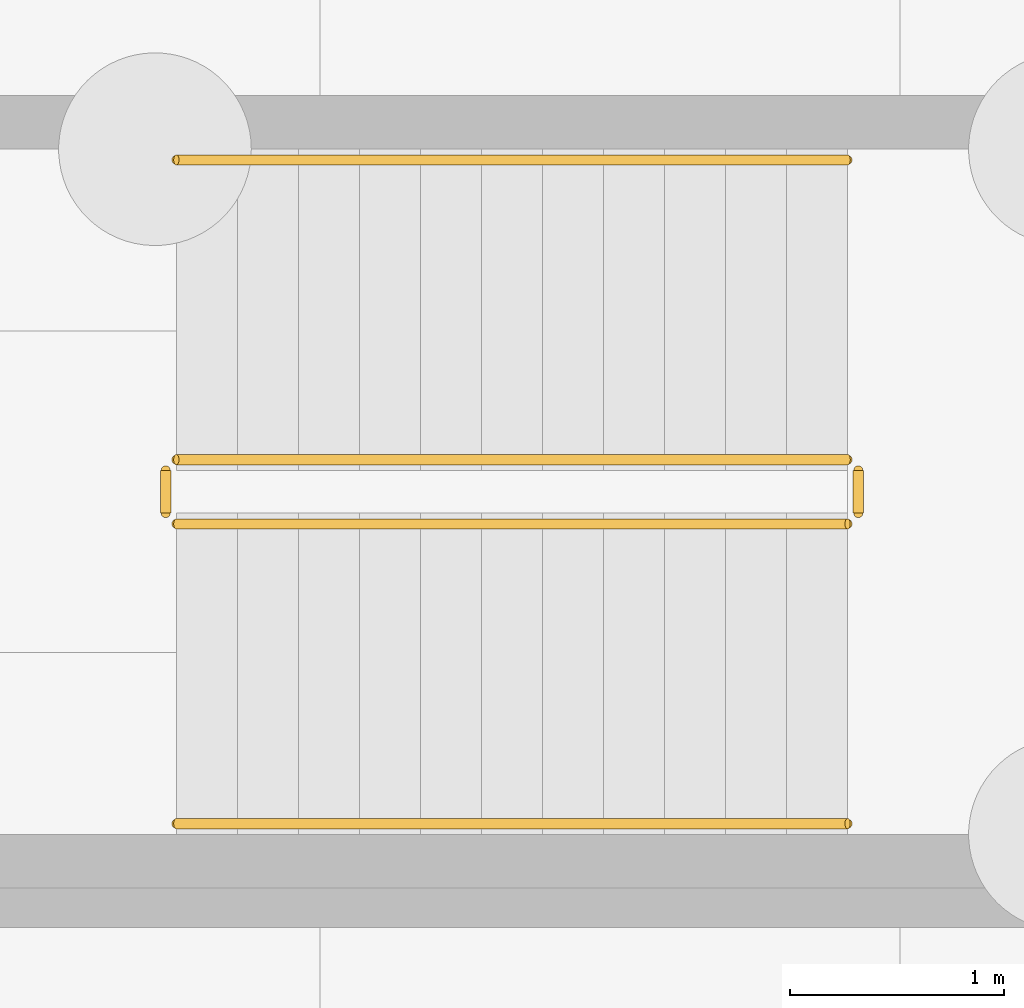
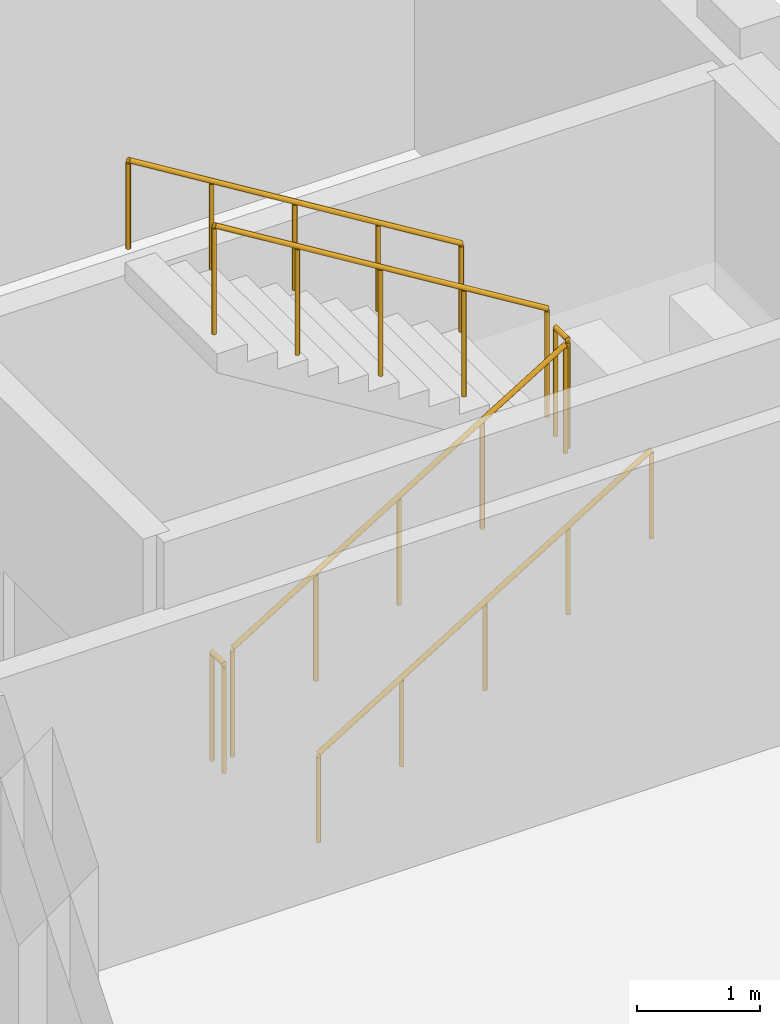
# One storey, part 16 of 18: 6 railings.
"""IFC4 building model written with IfcOpenShell, lengths in metres."""

import ifcopenshell
import ifcopenshell.guid

model = None  # the IFC model being written
_history = None  # IfcOwnerHistory: only IFC2X3 demands one
_inside = {}  # id of a spatial element -> (the spatial element, [elements in it])
_under = {}  # id of a project, library or spatial element -> (it, [spatial elements below it])
_declared = {}  # id of a project -> (the project, [libraries it declares])
_typed = {}  # id of a type object -> (the type object, [elements of that type])
_made_of = {}  # id of a material, layer set ... -> (it, [elements and type objects made of it])


def new_model(schema):
    """Start an empty IFC model of exactly this schema.

    Asked for "IFC4X3", IfcOpenShell would pick the latest addendum, in which some entities
    have other attributes; the version numbers below select the first issue.
    IFC2X3 requires an IfcOwnerHistory on every rooted entity: one is made here for all.
    """
    global model, _history
    if schema == "IFC4X3":
        model = ifcopenshell.file(schema_version=(4, 3, 0, 0))
    else:
        model = ifcopenshell.file(schema=schema)
    _inside.clear()
    _under.clear()
    _declared.clear()
    _typed.clear()
    _made_of.clear()
    _history = None
    if model.schema == "IFC2X3":
        org = make("IfcOrganization", Name="unknown")
        user = make(
            "IfcPersonAndOrganization",
            ThePerson=make("IfcPerson", FamilyName="unknown"),
            TheOrganization=org,
        )
        app = make(
            "IfcApplication",
            ApplicationDeveloper=org,
            Version="unknown",
            ApplicationFullName="unknown",
            ApplicationIdentifier="unknown",
        )
        _history = make(
            "IfcOwnerHistory",
            OwningUser=user,
            OwningApplication=app,
            ChangeAction="ADDED",
            CreationDate=0,
        )
    return model


def make(cls, **values):
    """One entity of the class cls with the attributes given. An attribute that is None is left unset."""
    return model.create_entity(
        cls, **{name: value for name, value in values.items() if value is not None}
    )


def rooted(cls, **values):
    """An entity with a GlobalId (a new one), such as an element, a storey or a relation."""
    return make(cls, GlobalId=ifcopenshell.guid.new(), OwnerHistory=_history, **values)


def si_unit(unit_type, name, prefix=None):
    """IfcSIUnit, for example si_unit("LENGTHUNIT", "METRE", prefix="MILLI")."""
    return make("IfcSIUnit", UnitType=unit_type, Prefix=prefix, Name=name)


def assignment(units):
    """IfcUnitAssignment: the units of a project."""
    return None if units is None else make("IfcUnitAssignment", Units=units)


def point(xyz):
    """IfcCartesianPoint."""
    return None if xyz is None else make("IfcCartesianPoint", Coordinates=xyz)


def direction(xyz):
    """IfcDirection."""
    return None if xyz is None else make("IfcDirection", DirectionRatios=xyz)


def frame(location, z_axis=None, x_axis=None):
    """IfcAxis2Placement3D, a coordinate frame: its origin and axes. An axis left out is left unset."""
    return make(
        "IfcAxis2Placement3D",
        Location=point(location),
        Axis=direction(z_axis),
        RefDirection=direction(x_axis),
    )


def frame_2d(location, x_axis=None):
    """IfcAxis2Placement2D, a coordinate frame in the plane: its origin and x axis."""
    return make(
        "IfcAxis2Placement2D", Location=point(location), RefDirection=direction(x_axis)
    )


def origin():
    """The frame at (0, 0, 0) with its axes left unset."""
    return frame((0.0, 0.0, 0.0))


def origin_2d():
    """The frame at (0, 0) in the plane with its x axis left unset."""
    return frame_2d((0.0, 0.0))


def place(relative_to, where):
    """IfcLocalPlacement: puts the frame where relative to a parent placement (None: the world)."""
    return make(
        "IfcLocalPlacement", PlacementRelTo=relative_to, RelativePlacement=where
    )


def context(
    kind, dimensions, precision=None, world=None, true_north=None, identifier=None
):
    """IfcGeometricRepresentationContext, for example the 3D "Model" context."""
    return make(
        "IfcGeometricRepresentationContext",
        ContextIdentifier=identifier,
        ContextType=kind,
        CoordinateSpaceDimension=dimensions,
        Precision=precision,
        WorldCoordinateSystem=world,
        TrueNorth=true_north,
    )


def subcontext(parent, identifier, kind, view, scale=None):
    """IfcGeometricRepresentationSubContext, for example "Body" below "Model"."""
    return make(
        "IfcGeometricRepresentationSubContext",
        ContextIdentifier=identifier,
        ContextType=kind,
        ParentContext=parent,
        TargetScale=scale,
        TargetView=view,
    )


def project(units=None, contexts=None):
    """IfcProject with its units and contexts."""
    return rooted(
        "IfcProject",
        Name="project",
        RepresentationContexts=contexts,
        UnitsInContext=assignment(units),
    )


def spatial(cls, under=None, at=None, **own):
    """A site, building, storey or space (cls), placed at a placement, below another one or the project."""
    s = rooted(cls, ObjectPlacement=at, **own)
    if under is not None:
        _under.setdefault(under.id(), (under, []))[1].append(s)
    return s


def profile(cls, at=None, kind="AREA", **sizes):
    """A parametric profile (cls). Its sizes go by their IFC names, for example OverallWidth=200.0."""
    return make(cls, ProfileType=kind, Position=at, **sizes)


def circle(**sizes):
    """IfcCircleProfileDef."""
    return profile("IfcCircleProfileDef", **sizes)


def extrude(swept, where, along, depth):
    """IfcExtrudedAreaSolid: the profile swept, set in the frame where, extruded along a direction by depth."""
    return make(
        "IfcExtrudedAreaSolid",
        SweptArea=swept,
        Position=where,
        ExtrudedDirection=direction(along),
        Depth=depth,
    )


def shape(context_of_items, identifier, shape_type, items):
    """IfcShapeRepresentation: the items that make up one representation, for example the "Body"."""
    return make(
        "IfcShapeRepresentation",
        ContextOfItems=context_of_items,
        RepresentationIdentifier=identifier,
        RepresentationType=shape_type,
        Items=items,
    )


def material(Name=None, Category=None):
    """IfcMaterial."""
    return make("IfcMaterial", Name=Name, Category=Category)


def layer(
    of_material, thickness, ventilated=None, Name=None, Category=None, Priority=None
):
    """IfcMaterialLayer: one layer of a wall or slab, of a material (None: an air gap)."""
    return make(
        "IfcMaterialLayer",
        Material=of_material,
        LayerThickness=thickness,
        IsVentilated=ventilated,
        Name=Name,
        Category=Category,
        Priority=Priority,
    )


def layer_set(layers, Name=None):
    """IfcMaterialLayerSet."""
    return make("IfcMaterialLayerSet", MaterialLayers=layers, LayerSetName=Name)


def made_of(thing, what):
    """Note that an element or type object is made of a material, layer set ...; save() writes the relation."""
    if what is not None:
        _made_of.setdefault(what.id(), (what, []))[1].append(thing)
    return thing


def type_object(cls, material=None, **own):
    """A type object (cls), such as IfcWallType, which elements share."""
    return made_of(rooted(cls, **own), material)


def element(
    cls,
    number,
    at=None,
    inside=None,
    cuts=None,
    type_object=None,
    material=None,
    context=None,
    identifier="Body",
    shape_type=None,
    held_by="IfcProductDefinitionShape",
    body=None,
    shapes=None,
    **own,
):
    """One element of the class cls, such as IfcWall. Its Tag is "e" and its number.

    at: its placement. inside: the storey or other place that contains it. cuts: it is an
    opening in that element (IfcRelVoidsElement). A single representation is given by context,
    identifier, shape_type and body (its items); several are given by shapes. held_by: the class
    of the entity that holds the representations. save() writes the other relations.
    """
    e = rooted(cls, Tag="e%d" % number, ObjectPlacement=at, **own)
    if body is not None:
        shapes = [shape(context, identifier, shape_type, body)]
    if shapes is not None:
        e.Representation = make(held_by, Representations=shapes)
    if inside is not None:
        _inside.setdefault(inside.id(), (inside, []))[1].append(e)
    if cuts is not None:
        rooted(
            "IfcRelVoidsElement", RelatingBuildingElement=cuts, RelatedOpeningElement=e
        )
    if type_object is not None:
        _typed.setdefault(type_object.id(), (type_object, []))[1].append(e)
    return made_of(e, material)


def aggregate(whole, parts):
    """IfcRelAggregates: a whole, such as a stair, and the parts it consists of."""
    return rooted("IfcRelAggregates", RelatingObject=whole, RelatedObjects=parts)


def save(model, path):
    """Write the relations noted so far, then the file.

    IfcRelAggregates (storeys below a building ...), IfcRelContainedInSpatialStructure (elements
    in a storey), IfcRelDefinesByType, IfcRelAssociatesMaterial and IfcRelDeclares: one each for
    every whole, place, type object, material and project.
    """
    for whole, parts in _under.values():
        aggregate(whole, parts)
    for where, things in _inside.values():
        rooted(
            "IfcRelContainedInSpatialStructure",
            RelatedElements=things,
            RelatingStructure=where,
        )
    for kind, things in _typed.values():
        rooted("IfcRelDefinesByType", RelatedObjects=things, RelatingType=kind)
    for what, things in _made_of.values():
        rooted("IfcRelAssociatesMaterial", RelatedObjects=things, RelatingMaterial=what)
    for by, libraries in _declared.values():
        rooted("IfcRelDeclares", RelatingContext=by, RelatedDefinitions=libraries)
    model.write(path)


model = new_model("IFC4")

# Units and contexts
model_context = context("Model", 3, precision=1e-05, world=origin(), true_north=direction((0.0, 1.0)))
body_context = subcontext(model_context, "Body", "Model", "MODEL_VIEW")
ifc_project = project(units=[si_unit("LENGTHUNIT", "METRE"), si_unit("AREAUNIT", "SQUARE_METRE"), si_unit("VOLUMEUNIT", "CUBIC_METRE"), si_unit("PLANEANGLEUNIT", "RADIAN"), si_unit("MASSUNIT", "GRAM", prefix="KILO")], contexts=[model_context])

# Site, building, storey
site_placement = place(None, origin())
site = spatial("IfcSite", under=ifc_project, at=site_placement, CompositionType="ELEMENT")
building_placement = place(site_placement, origin())
building = spatial("IfcBuilding", under=site, at=building_placement, Name="Vondelvale Polytechnic", CompositionType="ELEMENT")
storey_placement = place(building_placement, frame((0.0, 0.0, -4.199951171875)))
storey = spatial("IfcBuildingStorey", under=building, at=storey_placement, Name="B1", CompositionType="ELEMENT", Elevation=-4.199951171875)

# Railings
ifc_material = material(Name="Brushed architectural stainless and zinc-coated metal")
ifc_layer_1 = layer(ifc_material, 0.050048828125)
ifc_layer_set_1 = layer_set([ifc_layer_1], Name="RL-STAIR-GUARD")
railing_type_1 = type_object("IfcRailingType", Name="RL-STAIR-GUARD", PredefinedType="GUARDRAIL", material=ifc_layer_set_1)
railing_1_placement = place(storey_placement, frame((41.89990234375, 115.050048828125, 0.175048828125)))
element("IfcRailing", 1, at=railing_1_placement, inside=storey, type_object=railing_type_1, Name="B1 ST-02 stair guard 1", PredefinedType="GUARDRAIL", context=body_context, shape_type="SweptSolid", body=[
    extrude(circle(Radius=0.02392578125, at=origin_2d()), frame((0.0, 0.0, 1.076171875), z_axis=(0.852195625947, 0.0, 0.523223293744), x_axis=(0.0, 1.0, 0.0)), (0.0, 0.0, 1.0), 3.6787109375),
    extrude(circle(Radius=0.02099609375, at=origin_2d()), origin(), (0.0, 0.0, 1.0), 1.052001953125),
    extrude(circle(Radius=0.02099609375, at=origin_2d()), frame((0.78369140625, 0.0, 0.481201171875)), (0.0, 0.0, 1.0), 1.052001953125),
    extrude(circle(Radius=0.02099609375, at=origin_2d()), frame((1.5673828125, 0.0, 0.96240234375)), (0.0, 0.0, 1.0), 1.052001953125),
    extrude(circle(Radius=0.02099609375, at=origin_2d()), frame((2.351318359375, 0.0, 1.443603515625)), (0.0, 0.0, 1.0), 1.052001953125),
    extrude(circle(Radius=0.02099609375, at=origin_2d()), frame((3.135009765625, 0.0, 1.9248046875)), (0.0, 0.0, 1.0), 1.052001953125),
])
railing_2_placement = place(storey_placement, frame((45.0849609375, 115.10009765625, 2.099853515625)))
element("IfcRailing", 2, at=railing_2_placement, inside=storey, type_object=railing_type_1, Name="B1 ST-02 stair guard 2", PredefinedType="GUARDRAIL", context=body_context, shape_type="SweptSolid", body=[
    extrude(circle(Radius=0.02392578125, at=origin_2d()), frame((0.0, 0.0, 1.076171875), z_axis=(0.0, 1.0, 0.0), x_axis=(-1.0, 0.0, 0.0)), (0.0, 0.0, 1.0), 0.199951171875),
    extrude(circle(Radius=0.02099609375, at=origin_2d()), origin(), (0.0, 0.0, 1.0), 1.052001953125),
    extrude(circle(Radius=0.02099609375, at=origin_2d()), frame((0.0, 0.199951171875, 0.0)), (0.0, 0.0, 1.0), 1.052001953125),
])
railing_3_placement = place(storey_placement, frame((45.034912109375, 115.35009765625, 2.27490234375)))
element("IfcRailing", 3, at=railing_3_placement, inside=storey, type_object=railing_type_1, Name="B1 ST-02 stair guard 3", PredefinedType="GUARDRAIL", context=body_context, shape_type="SweptSolid", body=[
    extrude(circle(Radius=0.02392578125, at=origin_2d()), frame((0.0, 0.0, 1.076171875), z_axis=(-0.852166034122, 0.0, 0.523271488128), x_axis=(0.0, -1.0, 0.0)), (0.0, 0.0, 1.0), 3.678955078125),
    extrude(circle(Radius=0.02099609375, at=origin_2d()), origin(), (0.0, 0.0, 1.0), 1.052001953125),
    extrude(circle(Radius=0.02099609375, at=origin_2d()), frame((-0.78369140625, 0.0, 0.481201171875)), (0.0, 0.0, 1.0), 1.052001953125),
    extrude(circle(Radius=0.02099609375, at=origin_2d()), frame((-1.5673828125, 0.0, 0.96240234375)), (0.0, 0.0, 1.0), 1.052001953125),
    extrude(circle(Radius=0.02099609375, at=origin_2d()), frame((-2.351318359375, 0.0, 1.44384765625)), (0.0, 0.0, 1.0), 1.052001953125),
    extrude(circle(Radius=0.02099609375, at=origin_2d()), frame((-3.135009765625, 0.0, 1.925048828125)), (0.0, 0.0, 1.0), 1.052001953125),
])
railing_4_placement = place(storey_placement, frame((41.85009765625, 115.10009765625, 0.0)))
element("IfcRailing", 4, at=railing_4_placement, inside=storey, type_object=railing_type_1, Name="B1 ST-02 stair guard 4", PredefinedType="GUARDRAIL", context=body_context, shape_type="SweptSolid", body=[
    extrude(circle(Radius=0.02392578125, at=origin_2d()), frame((0.0, 0.0, 1.076171875), z_axis=(0.0, 1.0, 0.0), x_axis=(-1.0, 0.0, 0.0)), (0.0, 0.0, 1.0), 0.199951171875),
    extrude(circle(Radius=0.02099609375, at=origin_2d()), origin(), (0.0, 0.0, 1.0), 1.052001953125),
    extrude(circle(Radius=0.02099609375, at=origin_2d()), frame((0.0, 0.199951171875, 0.0)), (0.0, 0.0, 1.0), 1.052001953125),
])
ifc_layer_2 = layer(ifc_material, 0.048095703125)
ifc_layer_set_2 = layer_set([ifc_layer_2], Name="RL-STAIR-HANDRAIL")
railing_type_2 = type_object("IfcRailingType", Name="RL-STAIR-HANDRAIL", PredefinedType="HANDRAIL", material=ifc_layer_set_2)
railing_5_placement = place(storey_placement, frame((41.89990234375, 113.64990234375, 0.175048828125)))
element("IfcRailing", 5, at=railing_5_placement, inside=storey, type_object=railing_type_2, Name="B1 ST-02 stair handrail 1", PredefinedType="HANDRAIL", context=body_context, shape_type="SweptSolid", body=[
    extrude(circle(Radius=0.02392578125, at=origin_2d()), frame((0.0, 0.0, 0.8759765625), z_axis=(0.852195625947, 0.0, 0.523223293744), x_axis=(0.0, 1.0, 0.0)), (0.0, 0.0, 1.0), 3.6787109375),
    extrude(circle(Radius=0.02099609375, at=origin_2d()), origin(), (0.0, 0.0, 1.0), 0.851806640625),
    extrude(circle(Radius=0.02099609375, at=origin_2d()), frame((0.78369140625, 0.0, 0.481201171875)), (0.0, 0.0, 1.0), 0.851806640625),
    extrude(circle(Radius=0.02099609375, at=origin_2d()), frame((1.5673828125, 0.0, 0.96240234375)), (0.0, 0.0, 1.0), 0.851806640625),
    extrude(circle(Radius=0.02099609375, at=origin_2d()), frame((2.351318359375, 0.0, 1.443603515625)), (0.0, 0.0, 1.0), 0.851806640625),
    extrude(circle(Radius=0.02099609375, at=origin_2d()), frame((3.135009765625, 0.0, 1.9248046875)), (0.0, 0.0, 1.0), 0.851806640625),
])
railing_6_placement = place(storey_placement, frame((45.034912109375, 116.75, 2.27490234375)))
element("IfcRailing", 6, at=railing_6_placement, inside=storey, type_object=railing_type_2, Name="B1 ST-02 stair handrail 2", PredefinedType="HANDRAIL", context=body_context, shape_type="SweptSolid", body=[
    extrude(circle(Radius=0.02392578125, at=origin_2d()), frame((0.0, 0.0, 0.8759765625), z_axis=(-0.852166034122, 0.0, 0.523271488128), x_axis=(0.0, -1.0, 0.0)), (0.0, 0.0, 1.0), 3.678955078125),
    extrude(circle(Radius=0.02099609375, at=origin_2d()), origin(), (0.0, 0.0, 1.0), 0.851806640625),
    extrude(circle(Radius=0.02099609375, at=origin_2d()), frame((-0.78369140625, 0.0, 0.481201171875)), (0.0, 0.0, 1.0), 0.851806640625),
    extrude(circle(Radius=0.02099609375, at=origin_2d()), frame((-1.5673828125, 0.0, 0.96240234375)), (0.0, 0.0, 1.0), 0.851806640625),
    extrude(circle(Radius=0.02099609375, at=origin_2d()), frame((-2.351318359375, 0.0, 1.44384765625)), (0.0, 0.0, 1.0), 0.851806640625),
    extrude(circle(Radius=0.02099609375, at=origin_2d()), frame((-3.135009765625, 0.0, 1.925048828125)), (0.0, 0.0, 1.0), 0.851806640625),
])

save(model, "model.ifc")
